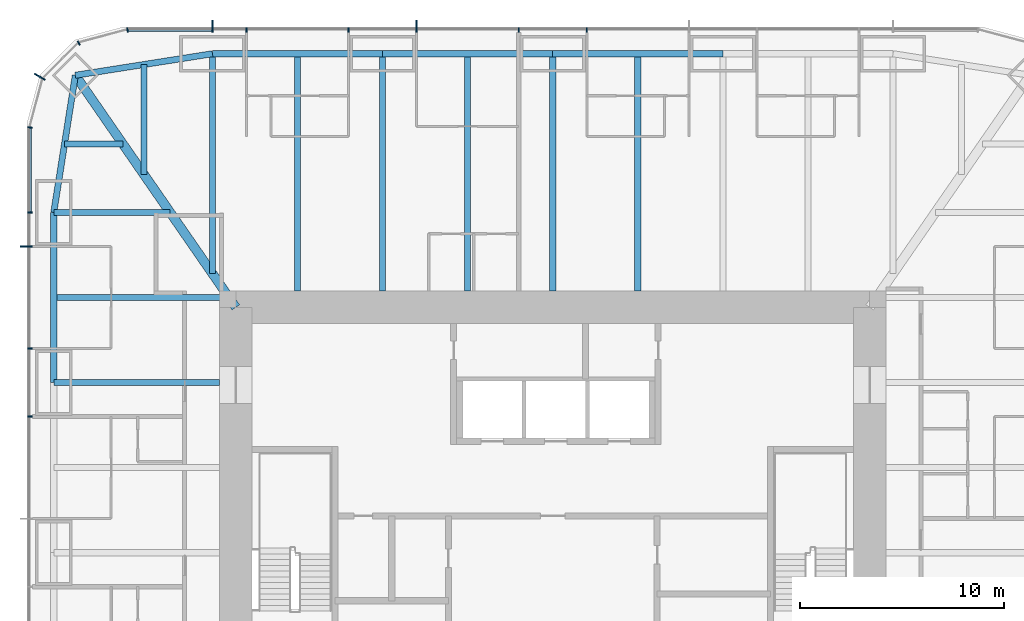
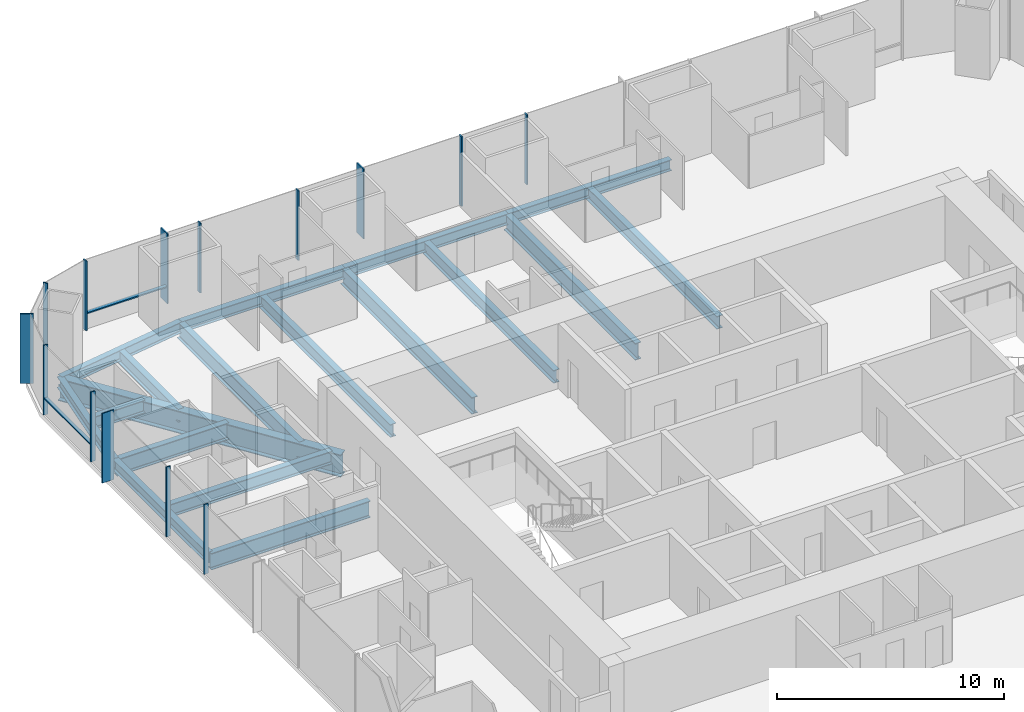
# One storey, part 5 of 13: 18 beams, 16 members, 3 elements without a shape of their own.
"""IFC4 building model written with IfcOpenShell, lengths in metres."""

from ifc_helpers import new_model, si_unit, direction, frame, origin, origin_2d, place, context, subcontext, project, spatial, rectangle, i_section, extrude, material, material_profile, profile_set, type_object, element, aggregate, save


model = new_model("IFC4")

# Units and contexts
model_context = context("Model", 3, precision=1e-05, world=origin(), true_north=direction((0.0, 1.0)))
body_context = subcontext(model_context, "Body", "Model", "MODEL_VIEW")
ifc_project = project(units=[si_unit("LENGTHUNIT", "METRE"), si_unit("AREAUNIT", "SQUARE_METRE"), si_unit("VOLUMEUNIT", "CUBIC_METRE"), si_unit("PLANEANGLEUNIT", "RADIAN"), si_unit("MASSUNIT", "GRAM", prefix="KILO")], contexts=[model_context])

# Site, building, storey
site_placement = place(None, origin())
site = spatial("IfcSite", under=ifc_project, at=site_placement, CompositionType="ELEMENT")
building_placement = place(site_placement, origin())
building = spatial("IfcBuilding", under=site, at=building_placement, Name="Khuree Lantern Residences", CompositionType="ELEMENT")
storey_placement = place(building_placement, frame((0.0, 0.0, 263.25)))
storey = spatial("IfcBuildingStorey", under=building, at=storey_placement, Name="L66", CompositionType="ELEMENT", Elevation=263.25)

# Beams
ifc_material_1 = material(Name="Steel S355", Category="steel")
ifc_material_profile_1 = material_profile(ifc_material_1, i_section(OverallWidth=0.300048828125, OverallDepth=0.68994140625, WebThickness=0.014404296875, FlangeThickness=0.027099609375, FilletRadius=0.027099609375, at=origin_2d()), Name="HE 700 A")
ifc_profile_set_1 = profile_set([ifc_material_profile_1], Name="Steel S355")
beam_type_1 = type_object("IfcBeamType", Name="B-35 SECONDARY BEAM HE 700 A", PredefinedType="BEAM", material=ifc_profile_set_1)
for number, where, z_axis, x_axis, name in (
    (1, (-12.47998046875, 24.39990234375, -0.594970703125), (0.0, -1.0, 0.0), (1.0, 0.0, 0.0), "Secondary beam N1"),
    (2, (-4.159912109375, 24.39990234375, -0.594970703125), (0.0, -1.0, 0.0), (1.0, 0.0, 0.0), "Secondary beam N2"),
    (3, (4.159912109375, 24.39990234375, -0.594970703125), (0.0, -1.0, 0.0), (1.0, 0.0, 0.0), "Secondary beam N3"),
):
    element("IfcBeam", number, at=place(storey_placement, frame(where, z_axis=z_axis, x_axis=x_axis)), inside=storey, type_object=beam_type_1, Name=name, PredefinedType="BEAM", context=body_context, shape_type="SweptSolid", body=[
        extrude(i_section(OverallWidth=0.300048828125, OverallDepth=0.68994140625, WebThickness=0.014404296875, FlangeThickness=0.027099609375, FilletRadius=0.027099609375, at=origin_2d()), origin(), (0.0, 0.0, 1.0), 11.599853515625),
    ])
beam_1_placement = place(storey_placement, frame((-24.39990234375, 12.47998046875, -0.594970703125), z_axis=(1.0, 0.0, 0.0), x_axis=(0.0, 1.0, 0.0)))
element("IfcBeam", 4, at=beam_1_placement, inside=storey, type_object=beam_type_1, Name="Secondary beam W5", PredefinedType="BEAM", context=body_context, shape_type="SweptSolid", body=[
    extrude(i_section(OverallWidth=0.300048828125, OverallDepth=0.68994140625, WebThickness=0.014404296875, FlangeThickness=0.027099609375, FilletRadius=0.027099609375, at=origin_2d()), origin(), (0.0, 0.0, 1.0), 8.56787109375),
])
beam_2_placement = place(storey_placement, frame((-23.872802734375, 19.992919921875, -0.594970703125), z_axis=(1.0, 0.0, 0.0), x_axis=(0.0, 1.0, 0.0)))
element("IfcBeam", 5, at=beam_2_placement, inside=storey, type_object=beam_type_1, Name="Secondary beam W6", PredefinedType="BEAM", context=body_context, shape_type="SweptSolid", body=[
    extrude(i_section(OverallWidth=0.300048828125, OverallDepth=0.68994140625, WebThickness=0.014404296875, FlangeThickness=0.027099609375, FilletRadius=0.027099609375, at=origin_2d()), origin(), (0.0, 0.0, 1.0), 2.845703125),
])
beam_3_placement = place(storey_placement, frame((-19.992919921875, 23.872802734375, -0.594970703125), z_axis=(0.0, -1.0, 0.0), x_axis=(1.0, 0.0, 0.0)))
element("IfcBeam", 6, at=beam_3_placement, inside=storey, type_object=beam_type_1, Name="Secondary beam N6", PredefinedType="BEAM", context=body_context, shape_type="SweptSolid", body=[
    extrude(i_section(OverallWidth=0.300048828125, OverallDepth=0.68994140625, WebThickness=0.014404296875, FlangeThickness=0.027099609375, FilletRadius=0.027099609375, at=origin_2d()), origin(), (0.0, 0.0, 1.0), 5.375732421875),
])
ifc_material_profile_2 = material_profile(ifc_material_1, i_section(OverallWidth=0.300048828125, OverallDepth=0.590087890625, WebThickness=0.012939453125, FlangeThickness=0.02490234375, FilletRadius=0.027099609375, at=origin_2d()), Name="HE 600 A")
ifc_profile_set_2 = profile_set([ifc_material_profile_2], Name="Steel S355")
beam_type_2 = type_object("IfcBeamType", Name="E-35 SPANDREL BEAM HE 600 A", PredefinedType="SPANDREL", material=ifc_profile_set_2)
beam_4_placement = place(storey_placement, frame((-16.639892578125, 24.39990234375, -0.544921875), z_axis=(1.0, 0.0, 0.0), x_axis=(0.0, 1.0, 0.0)))
element("IfcBeam", 7, at=beam_4_placement, inside=storey, type_object=beam_type_2, Name="Spandrel beam N1", PredefinedType="SPANDREL", context=body_context, shape_type="SweptSolid", body=[
    extrude(i_section(OverallWidth=0.300048828125, OverallDepth=0.590087890625, WebThickness=0.012939453125, FlangeThickness=0.02490234375, FilletRadius=0.027099609375, at=origin_2d()), origin(), (0.0, 0.0, 1.0), 8.31982421875),
])
for number, where, z_axis, x_axis, name in (
    (8, (-8.320068359375, 24.39990234375, -0.544921875), (1.0, 0.0, 0.0), (0.0, 1.0, 0.0), "Spandrel beam N2"),
    (9, (0.0, 24.39990234375, -0.544921875), (1.0, 0.0, 0.0), (0.0, 1.0, 0.0), "Spandrel beam N3"),
):
    element("IfcBeam", number, at=place(storey_placement, frame(where, z_axis=z_axis, x_axis=x_axis)), inside=storey, type_object=beam_type_2, Name=name, PredefinedType="SPANDREL", context=body_context, shape_type="SweptSolid", body=[
        extrude(i_section(OverallWidth=0.300048828125, OverallDepth=0.590087890625, WebThickness=0.012939453125, FlangeThickness=0.02490234375, FilletRadius=0.027099609375, at=origin_2d()), origin(), (0.0, 0.0, 1.0), 8.320068359375),
    ])
beam_5_placement = place(storey_placement, frame((-24.39990234375, 8.320068359375, -0.544921875), z_axis=(0.0, 1.0, 0.0), x_axis=(-1.0, 0.0, 0.0)))
element("IfcBeam", 10, at=beam_5_placement, inside=storey, type_object=beam_type_2, Name="Spandrel beam W5", PredefinedType="SPANDREL", context=body_context, shape_type="SweptSolid", body=[
    extrude(i_section(OverallWidth=0.300048828125, OverallDepth=0.590087890625, WebThickness=0.012939453125, FlangeThickness=0.02490234375, FilletRadius=0.027099609375, at=origin_2d()), origin(), (0.0, 0.0, 1.0), 8.31982421875),
])
for number, where, z_axis, x_axis, name in (
    (11, (-24.39990234375, 16.639892578125, -0.544921875), (0.155299507442, 0.98786743189, 0.0), (-0.98786743189, 0.155299507442, 0.0), "Spandrel beam W6"),
    (12, (-23.345703125, 23.345703125, -0.544921875), (0.98786743189, 0.155299507442, 0.0), (-0.155299507442, 0.98786743189, 0.0), "Spandrel beam N6"),
):
    element("IfcBeam", number, at=place(storey_placement, frame(where, z_axis=z_axis, x_axis=x_axis)), inside=storey, type_object=beam_type_2, Name=name, PredefinedType="SPANDREL", context=body_context, shape_type="SweptSolid", body=[
        extrude(i_section(OverallWidth=0.300048828125, OverallDepth=0.590087890625, WebThickness=0.012939453125, FlangeThickness=0.02490234375, FilletRadius=0.027099609375, at=origin_2d()), origin(), (0.0, 0.0, 1.0), 6.7880859375),
    ])

# Curtain wall, members
ifc_material_2 = material(Name="Bronze anodised aluminium", Category="aluminium")
curtain_wall_type_1 = type_object("IfcCurtainWallType", Name="CW-T1 TOWER FACE CURTAIN WALL", PredefinedType="USERDEFINED", material=ifc_material_2)
curtain_wall_1_placement = place(storey_placement, origin())
curtain_wall_1 = element("IfcCurtainWall", 13, at=curtain_wall_1_placement, inside=storey, type_object=curtain_wall_type_1, Name="L66 NORTH FACE CURTAIN WALL", ObjectType="Stick-built curtain wall", PredefinedType="USERDEFINED")
ifc_material_profile_3 = material_profile(ifc_material_2, rectangle(XDim=0.06494140625, YDim=0.60009765625, at=origin_2d()), Name="F1 65X600")
ifc_profile_set_3 = profile_set([ifc_material_profile_3], Name="Bronze anodised aluminium")
member_type_1 = type_object("IfcMemberType", Name="F1 BRONZE FIN MULLION TOWER 65X600", PredefinedType="MULLION", material=ifc_profile_set_3)
member_1_placement = place(storey_placement, frame((-6.656005859375, 25.75, 0.0), z_axis=(0.0, 0.0, 1.0), x_axis=(-1.0, 0.0, 0.0)))
member_1 = element("IfcMember", 14, at=member_1_placement, type_object=member_type_1, Name="L66 NORTH FACE FIN MULLION 25", PredefinedType="MULLION", context=body_context, shape_type="SweptSolid", body=[
    extrude(rectangle(XDim=0.06494140625, YDim=0.60009765625, at=origin_2d()), origin(), (0.0, 0.0, 1.0), 3.75),
])
member_2_placement = place(storey_placement, frame((-16.639892578125, 25.75, 0.0), z_axis=(0.0, 0.0, 1.0), x_axis=(-1.0, 0.0, 0.0)))
member_2 = element("IfcMember", 15, at=member_2_placement, type_object=member_type_1, Name="L66 NORTH FACE FIN MULLION 28", PredefinedType="MULLION", context=body_context, shape_type="SweptSolid", body=[
    extrude(rectangle(XDim=0.06494140625, YDim=0.60009765625, at=origin_2d()), origin(), (0.0, 0.0, 1.0), 3.75),
])

# Curtain wall, member
curtain_wall_type_2 = type_object("IfcCurtainWallType", Name="CW-T2 TOWER CORNER CURTAIN WALL", PredefinedType="USERDEFINED", material=ifc_material_2)
curtain_wall_2_placement = place(storey_placement, origin())
curtain_wall_2 = element("IfcCurtainWall", 16, at=curtain_wall_2_placement, inside=storey, type_object=curtain_wall_type_2, Name="L66 NORTH-WEST CORNER CURTAIN WALL", ObjectType="Faceted corner curtain wall", PredefinedType="USERDEFINED")
member_3_placement = place(storey_placement, frame((-25.0869140625, 23.27490234375, 0.0), z_axis=(0.0, 0.0, 1.0), x_axis=(-0.499999989586, -0.866025409797, 0.0)))
member_3 = element("IfcMember", 17, at=member_3_placement, type_object=member_type_1, Name="L66 NORTH-WEST CORNER FIN MULLION 31", PredefinedType="MULLION", context=body_context, shape_type="SweptSolid", body=[
    extrude(rectangle(XDim=0.06494140625, YDim=0.60009765625, at=origin_2d()), origin(), (0.0, 0.0, 1.0), 3.75),
])

curtain_wall_3_placement = place(storey_placement, origin())
curtain_wall_3 = element("IfcCurtainWall", 18, at=curtain_wall_3_placement, inside=storey, type_object=curtain_wall_type_1, Name="L66 WEST FACE CURTAIN WALL", ObjectType="Stick-built curtain wall", PredefinedType="USERDEFINED")
member_4_placement = place(storey_placement, frame((-25.75, 14.97607421875, 0.0), z_axis=(0.0, 0.0, 1.0), x_axis=(0.0, -1.0, 0.0)))
member_4 = element("IfcMember", 19, at=member_4_placement, type_object=member_type_1, Name="L66 WEST FACE FIN MULLION 34", PredefinedType="MULLION", context=body_context, shape_type="SweptSolid", body=[
    extrude(rectangle(XDim=0.06494140625, YDim=0.60009765625, at=origin_2d()), origin(), (0.0, 0.0, 1.0), 3.75),
])

# Beams
ifc_material_profile_4 = material_profile(ifc_material_1, i_section(OverallWidth=0.300048828125, OverallDepth=0.89990234375, WebThickness=0.0185546875, FlangeThickness=0.034912109375, FilletRadius=0.030029296875, at=origin_2d()), Name="HE 900 B")
ifc_profile_set_4 = profile_set([ifc_material_profile_4], Name="Steel S355")
beam_type_3 = type_object("IfcBeamType", Name="G-35 GIRDER HE 900 B", PredefinedType="BEAM", material=ifc_profile_set_4)
beam_6_placement = place(storey_placement, frame((-16.639892578125, 24.39990234375, -0.699951171875), z_axis=(0.0, -1.0, 0.0), x_axis=(1.0, 0.0, 0.0)))
element("IfcBeam", 20, at=beam_6_placement, inside=storey, type_object=beam_type_3, Name="Girder N1", PredefinedType="BEAM", context=body_context, shape_type="SweptSolid", body=[
    extrude(i_section(OverallWidth=0.300048828125, OverallDepth=0.89990234375, WebThickness=0.0185546875, FlangeThickness=0.034912109375, FilletRadius=0.030029296875, at=origin_2d()), origin(), (0.0, 0.0, 1.0), 10.751220703125),
])
for number, where, z_axis, x_axis, name in (
    (21, (-8.320068359375, 24.39990234375, -0.699951171875), (0.0, -1.0, 0.0), (1.0, 0.0, 0.0), "Girder N2"),
    (22, (0.0, 24.39990234375, -0.699951171875), (0.0, -1.0, 0.0), (1.0, 0.0, 0.0), "Girder N3"),
):
    element("IfcBeam", number, at=place(storey_placement, frame(where, z_axis=z_axis, x_axis=x_axis)), inside=storey, type_object=beam_type_3, Name=name, PredefinedType="BEAM", context=body_context, shape_type="SweptSolid", body=[
        extrude(i_section(OverallWidth=0.300048828125, OverallDepth=0.89990234375, WebThickness=0.0185546875, FlangeThickness=0.034912109375, FilletRadius=0.030029296875, at=origin_2d()), origin(), (0.0, 0.0, 1.0), 11.599853515625),
    ])
beam_7_placement = place(storey_placement, frame((-24.39990234375, 8.320068359375, -0.699951171875), z_axis=(1.0, 0.0, 0.0), x_axis=(0.0, 1.0, 0.0)))
element("IfcBeam", 23, at=beam_7_placement, inside=storey, type_object=beam_type_3, Name="Girder W4", PredefinedType="BEAM", context=body_context, shape_type="SweptSolid", body=[
    extrude(i_section(OverallWidth=0.300048828125, OverallDepth=0.89990234375, WebThickness=0.0185546875, FlangeThickness=0.034912109375, FilletRadius=0.030029296875, at=origin_2d()), origin(), (0.0, 0.0, 1.0), 8.099853515625),
])
beam_8_placement = place(storey_placement, frame((-24.39990234375, 16.639892578125, -0.699951171875), z_axis=(1.0, 0.0, 0.0), x_axis=(0.0, 1.0, 0.0)))
element("IfcBeam", 24, at=beam_8_placement, inside=storey, type_object=beam_type_3, Name="Girder W5", PredefinedType="BEAM", context=body_context, shape_type="SweptSolid", body=[
    extrude(i_section(OverallWidth=0.300048828125, OverallDepth=0.89990234375, WebThickness=0.0185546875, FlangeThickness=0.034912109375, FilletRadius=0.030029296875, at=origin_2d()), origin(), (0.0, 0.0, 1.0), 5.69140625),
])
ifc_material_profile_5 = material_profile(ifc_material_1, i_section(OverallWidth=0.449951171875, OverallDepth=1.199951171875, WebThickness=0.02490234375, FlangeThickness=0.044921875, at=origin_2d()), Name="WELDED I 1200X450X25X45")
ifc_profile_set_5 = profile_set([ifc_material_profile_5], Name="Steel S355")
beam_type_4 = type_object("IfcBeamType", Name="GD-35 CORNER GIRDER WELDED I 1200X450X25X45", PredefinedType="BEAM", material=ifc_profile_set_5)
beam_9_placement = place(storey_placement, frame((-23.345703125, 23.345703125, -0.85009765625), z_axis=(0.56876813501, -0.822497907959, 0.0), x_axis=(0.822497907959, 0.56876813501, 0.0)))
element("IfcBeam", 25, at=beam_9_placement, inside=storey, type_object=beam_type_4, Name="Corner girder NW", PredefinedType="BEAM", context=body_context, shape_type="SweptSolid", body=[
    extrude(i_section(OverallWidth=0.449951171875, OverallDepth=1.199951171875, WebThickness=0.02490234375, FlangeThickness=0.044921875, at=origin_2d()), origin(), (0.0, 0.0, 1.0), 13.794189453125),
])

# Member
ifc_material_profile_6 = material_profile(ifc_material_2, rectangle(XDim=0.06494140625, YDim=0.219970703125, at=origin_2d()), Name="M1 65X220")
ifc_profile_set_6 = profile_set([ifc_material_profile_6], Name="Bronze anodised aluminium")
member_type_2 = type_object("IfcMemberType", Name="M1 BRONZE MULLION TOWER 65X220", PredefinedType="MULLION", material=ifc_profile_set_6)
member_5_placement = place(storey_placement, frame((1.6640625, 25.56005859375, 0.0), z_axis=(0.0, 0.0, 1.0), x_axis=(-1.0, 0.0, 0.0)))
member_5 = element("IfcMember", 26, at=member_5_placement, type_object=member_type_2, Name="L66 NORTH FACE MULLION 23", PredefinedType="MULLION", context=body_context, shape_type="SweptSolid", body=[
    extrude(rectangle(XDim=0.06494140625, YDim=0.219970703125, at=origin_2d()), origin(), (0.0, 0.0, 1.0), 3.75),
])

member_6_placement = place(storey_placement, frame((-1.6640625, 25.56005859375, 0.0), z_axis=(0.0, 0.0, 1.0), x_axis=(-1.0, 0.0, 0.0)))
member_6 = element("IfcMember", 27, at=member_6_placement, type_object=member_type_2, Name="L66 NORTH FACE MULLION 24", PredefinedType="MULLION", context=body_context, shape_type="SweptSolid", body=[
    extrude(rectangle(XDim=0.06494140625, YDim=0.219970703125, at=origin_2d()), origin(), (0.0, 0.0, 1.0), 3.75),
])

member_7_placement = place(storey_placement, frame((-9.98388671875, 25.56005859375, 0.0), z_axis=(0.0, 0.0, 1.0), x_axis=(-1.0, 0.0, 0.0)))
member_7 = element("IfcMember", 28, at=member_7_placement, type_object=member_type_2, Name="L66 NORTH FACE MULLION 26", PredefinedType="MULLION", context=body_context, shape_type="SweptSolid", body=[
    extrude(rectangle(XDim=0.06494140625, YDim=0.219970703125, at=origin_2d()), origin(), (0.0, 0.0, 1.0), 3.75),
])

member_8_placement = place(storey_placement, frame((-14.97607421875, 25.56005859375, 0.0), z_axis=(0.0, 0.0, 1.0), x_axis=(-1.0, 0.0, 0.0)))
member_8 = element("IfcMember", 29, at=member_8_placement, type_object=member_type_2, Name="L66 NORTH FACE MULLION 27", PredefinedType="MULLION", context=body_context, shape_type="SweptSolid", body=[
    extrude(rectangle(XDim=0.06494140625, YDim=0.219970703125, at=origin_2d()), origin(), (0.0, 0.0, 1.0), 3.75),
])

member_9_placement = place(storey_placement, frame((-20.794921875, 25.561767578125, 0.0), z_axis=(0.0, 0.0, 1.0), x_axis=(-0.991444862943, -0.130526180298, 0.0)))
member_9 = element("IfcMember", 30, at=member_9_placement, type_object=member_type_2, Name="L66 NORTH-WEST CORNER MULLION 29", PredefinedType="MULLION", context=body_context, shape_type="SweptSolid", body=[
    extrude(rectangle(XDim=0.06494140625, YDim=0.219970703125, at=origin_2d()), origin(), (0.0, 0.0, 1.0), 3.75),
])

member_10_placement = place(storey_placement, frame((-23.179931640625, 24.92236328125, 0.0), z_axis=(0.0, 0.0, 1.0), x_axis=(-0.866025409797, -0.499999989586, 0.0)))
member_10 = element("IfcMember", 31, at=member_10_placement, type_object=member_type_2, Name="L66 NORTH-WEST CORNER MULLION 30", PredefinedType="MULLION", context=body_context, shape_type="SweptSolid", body=[
    extrude(rectangle(XDim=0.06494140625, YDim=0.219970703125, at=origin_2d()), origin(), (0.0, 0.0, 1.0), 3.75),
])

aggregate(curtain_wall_2, [member_9, member_10, member_3])

member_11_placement = place(storey_placement, frame((-25.561767578125, 20.794921875, 0.0), z_axis=(0.0, 0.0, 1.0), x_axis=(-0.130526180298, -0.991444862943, 0.0)))
member_11 = element("IfcMember", 32, at=member_11_placement, type_object=member_type_2, Name="L66 WEST FACE MULLION 32", PredefinedType="MULLION", context=body_context, shape_type="SweptSolid", body=[
    extrude(rectangle(XDim=0.06494140625, YDim=0.219970703125, at=origin_2d()), origin(), (0.0, 0.0, 1.0), 3.75),
])

member_12_placement = place(storey_placement, frame((-25.56005859375, 16.639892578125, 0.0), z_axis=(0.0, 0.0, 1.0), x_axis=(0.0, -1.0, 0.0)))
member_12 = element("IfcMember", 33, at=member_12_placement, type_object=member_type_2, Name="L66 WEST FACE MULLION 33", PredefinedType="MULLION", context=body_context, shape_type="SweptSolid", body=[
    extrude(rectangle(XDim=0.06494140625, YDim=0.219970703125, at=origin_2d()), origin(), (0.0, 0.0, 1.0), 3.75),
])

member_13_placement = place(storey_placement, frame((-25.56005859375, 9.98388671875, 0.0), z_axis=(0.0, 0.0, 1.0), x_axis=(0.0, -1.0, 0.0)))
member_13 = element("IfcMember", 34, at=member_13_placement, type_object=member_type_2, Name="L66 WEST FACE MULLION 35", PredefinedType="MULLION", context=body_context, shape_type="SweptSolid", body=[
    extrude(rectangle(XDim=0.06494140625, YDim=0.219970703125, at=origin_2d()), origin(), (0.0, 0.0, 1.0), 3.75),
])

member_14_placement = place(storey_placement, frame((-25.56005859375, 6.656005859375, 0.0), z_axis=(0.0, 0.0, 1.0), x_axis=(0.0, -1.0, 0.0)))
member_14 = element("IfcMember", 35, at=member_14_placement, type_object=member_type_2, Name="L66 WEST FACE MULLION 36", PredefinedType="MULLION", context=body_context, shape_type="SweptSolid", body=[
    extrude(rectangle(XDim=0.06494140625, YDim=0.219970703125, at=origin_2d()), origin(), (0.0, 0.0, 1.0), 3.75),
])

ifc_material_profile_7 = material_profile(ifc_material_2, rectangle(XDim=0.179931640625, YDim=0.06494140625, at=origin_2d()), Name="T1 180X65")
ifc_profile_set_7 = profile_set([ifc_material_profile_7], Name="Bronze anodised aluminium")
member_type_3 = type_object("IfcMemberType", Name="TRANSOM T1 TOWER 180X65", PredefinedType="USERDEFINED", material=ifc_profile_set_7)
member_15_placement = place(storey_placement, frame((-16.672607421875, 25.570068359375, 0.89990234375), z_axis=(-1.0, 0.0, 0.0), x_axis=(0.0, -1.0, 0.0)))
member_15 = element("IfcMember", 36, at=member_15_placement, type_object=member_type_3, Name="L66 NORTH FACE TRANSOM 28.1", ObjectType="Transom", PredefinedType="USERDEFINED", context=body_context, shape_type="SweptSolid", body=[
    extrude(rectangle(XDim=0.179931640625, YDim=0.06494140625, at=origin_2d()), origin(), (0.0, 0.0, 1.0), 4.078857421875),
])

aggregate(curtain_wall_1, [member_5, member_6, member_1, member_7, member_8, member_2, member_15])

member_16_placement = place(storey_placement, frame((-25.570068359375, 20.75146484375, 0.89990234375), z_axis=(0.0, -1.0, 0.0), x_axis=(1.0, 0.0, 0.0)))
member_16 = element("IfcMember", 37, at=member_16_placement, type_object=member_type_3, Name="L66 WEST FACE TRANSOM 32.1", ObjectType="Transom", PredefinedType="USERDEFINED", context=body_context, shape_type="SweptSolid", body=[
    extrude(rectangle(XDim=0.179931640625, YDim=0.06494140625, at=origin_2d()), origin(), (0.0, 0.0, 1.0), 4.078857421875),
])

aggregate(curtain_wall_3, [member_11, member_12, member_4, member_13, member_14, member_16])

save(model, "model.ifc")
